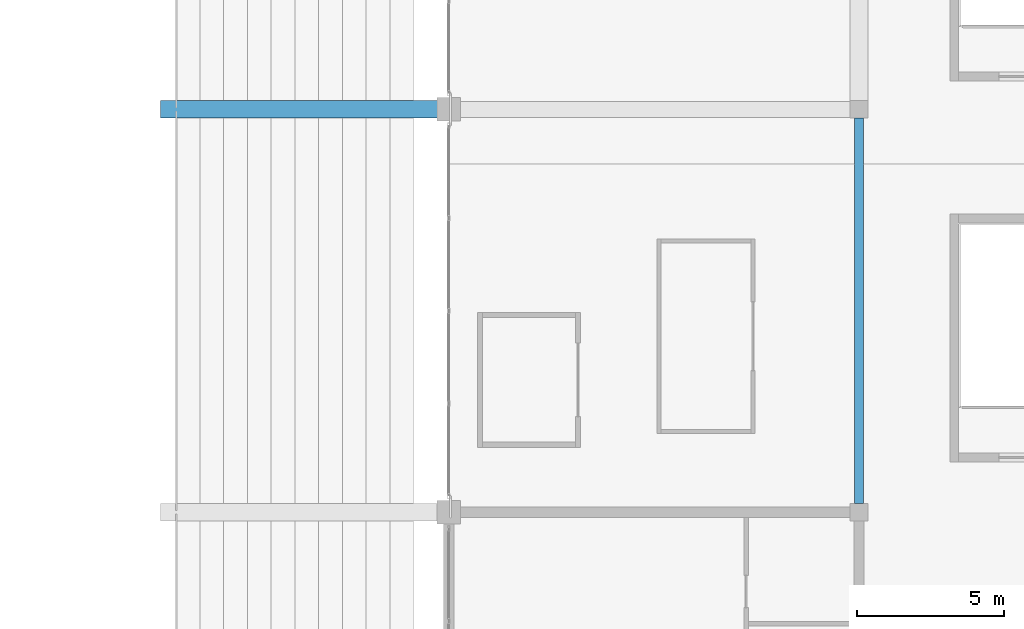
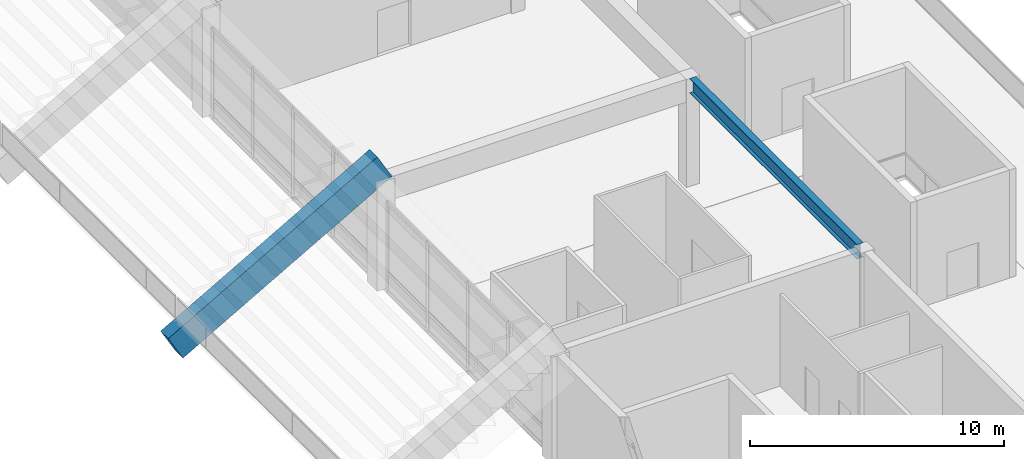
# One storey, part 36 of 90: 2 beams.
"""IFC4 building model written with IfcOpenShell, lengths in metres."""

from ifc_helpers import new_model, si_unit, direction, frame, origin, origin_2d, place, context, subcontext, project, spatial, rectangle, i_section, extrude, material, material_profile, profile_set, type_object, element, save


model = new_model("IFC4")

# Units and contexts
model_context = context("Model", 3, precision=1e-05, world=origin(), true_north=direction((0.0, 1.0)))
body_context = subcontext(model_context, "Body", "Model", "MODEL_VIEW")
ifc_project = project(units=[si_unit("LENGTHUNIT", "METRE"), si_unit("AREAUNIT", "SQUARE_METRE"), si_unit("VOLUMEUNIT", "CUBIC_METRE"), si_unit("PLANEANGLEUNIT", "RADIAN"), si_unit("MASSUNIT", "GRAM", prefix="KILO")], contexts=[model_context])

# Site, building, storey
site_placement = place(None, origin())
site = spatial("IfcSite", under=ifc_project, at=site_placement, CompositionType="ELEMENT")
building_placement = place(site_placement, origin())
building = spatial("IfcBuilding", under=site, at=building_placement, Name="Linyun Crest Stadium", CompositionType="ELEMENT")
storey_placement = place(building_placement, frame((0.0, 0.0, 21.0)))
storey = spatial("IfcBuildingStorey", under=building, at=storey_placement, Name="L05", CompositionType="ELEMENT", Elevation=21.0)

# Beams
ifc_material_1 = material(Name="Steel Q355C", Category="steel")
ifc_material_profile_1 = material_profile(ifc_material_1, i_section(OverallWidth=0.300048828125, OverallDepth=0.699951171875, WebThickness=0.012939453125, FlangeThickness=0.02392578125, at=origin_2d()), Name="HN 700x300")
ifc_profile_set_1 = profile_set([ifc_material_profile_1], Name="Steel Q355C")
beam_type_1 = type_object("IfcBeamType", Name="B12", PredefinedType="BEAM", material=ifc_profile_set_1)
beam_1_placement = place(storey_placement, frame((84.0, -25.074951171875, 4.8349609375), z_axis=(0.0, 1.0, 0.0), x_axis=(-1.0, 0.0, 0.0)))
element("IfcBeam", 1, at=beam_1_placement, inside=storey, type_object=beam_type_1, Name="Frame beam B12 L05 732", PredefinedType="BEAM", context=body_context, shape_type="SweptSolid", body=[
    extrude(i_section(OverallWidth=0.300048828125, OverallDepth=0.699951171875, WebThickness=0.012939453125, FlangeThickness=0.02392578125, at=origin_2d()), origin(), (0.0, 0.0, 1.0), 13.14990234375),
])
ifc_material_2 = material(Name="Precast concrete C50", Category="concrete")
ifc_material_profile_2 = material_profile(ifc_material_2, rectangle(XDim=0.60009765625, YDim=1.35009765625, at=origin_2d()), Name="PCR 1350x600")
ifc_profile_set_2 = profile_set([ifc_material_profile_2], Name="Precast concrete C50")
beam_type_2 = type_object("IfcBeamType", Name="RB03", PredefinedType="USERDEFINED", material=ifc_profile_set_2)
beam_2_placement = place(storey_placement, frame((60.5, -11.625, 0.39990234375), z_axis=(0.869361451527, 0.0, 0.494176756433), x_axis=(0.0, 1.0, 0.0)))
element("IfcBeam", 2, at=beam_2_placement, inside=storey, type_object=beam_type_2, Name="Precast raker beam RB03 V2 32", ObjectType="RAKER", PredefinedType="USERDEFINED", context=body_context, shape_type="SweptSolid", body=[
    extrude(rectangle(XDim=0.60009765625, YDim=1.35009765625, at=origin_2d()), origin(), (0.0, 0.0, 1.0), 10.927490234375),
])

save(model, "model.ifc")
